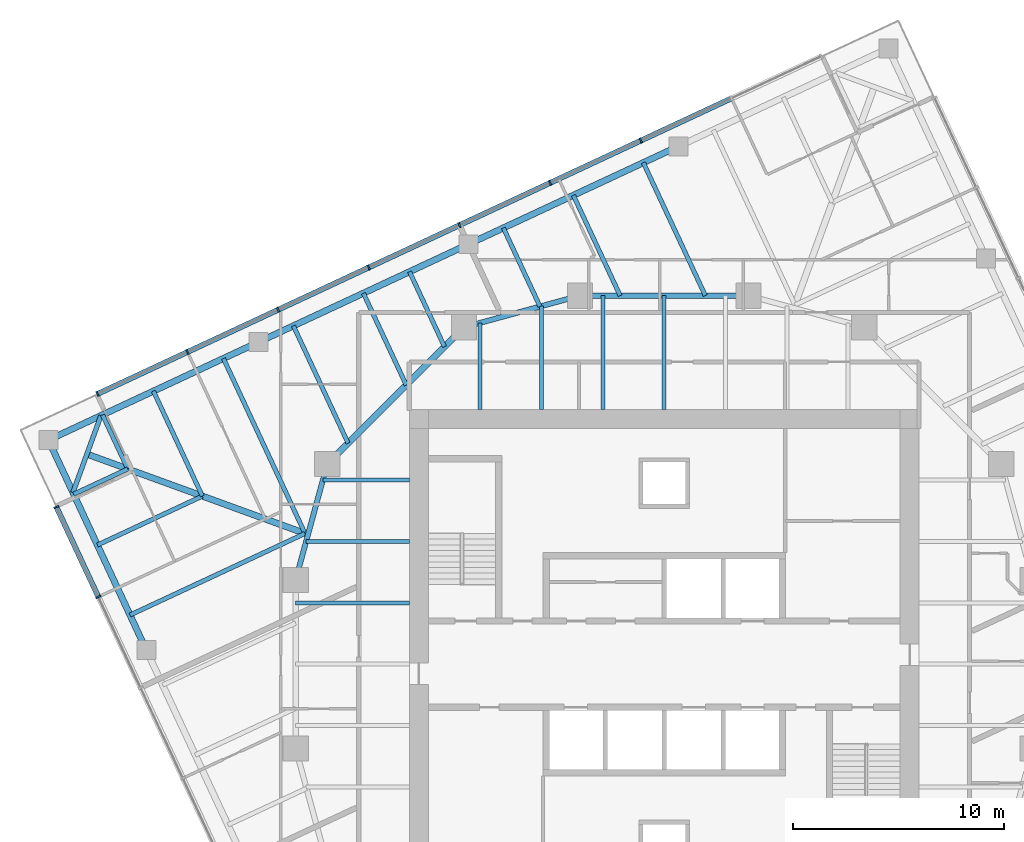
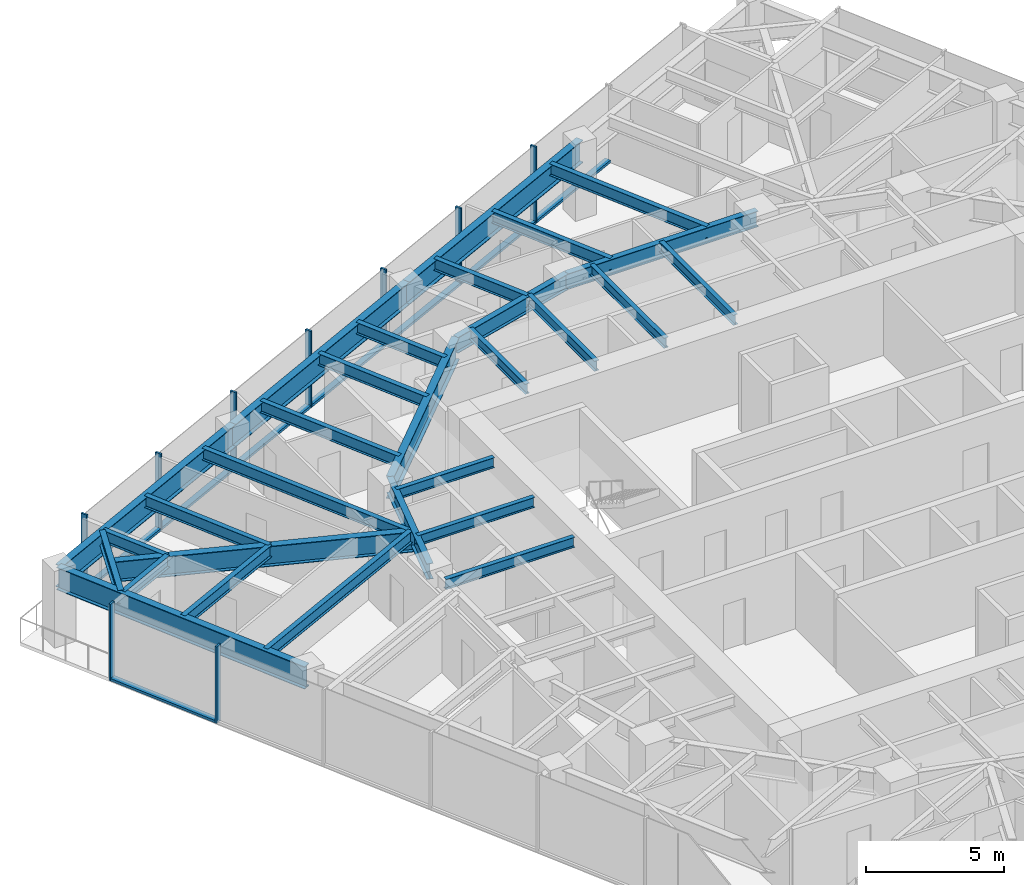
# One storey, part 4 of 13: 29 beams, 17 members, 2 elements without a shape of their own.
"""IFC4 building model written with IfcOpenShell, lengths in metres."""

from ifc_helpers import new_model, si_unit, direction, frame, origin, origin_2d, place, context, subcontext, project, spatial, rectangle, i_section, extrude, material, material_profile, profile_set, type_object, element, aggregate, save


model = new_model("IFC4")

# Units and contexts
model_context = context("Model", 3, precision=1e-05, world=origin(), true_north=direction((0.0, 1.0)))
body_context = subcontext(model_context, "Body", "Model", "MODEL_VIEW")
ifc_project = project(units=[si_unit("LENGTHUNIT", "METRE"), si_unit("AREAUNIT", "SQUARE_METRE"), si_unit("VOLUMEUNIT", "CUBIC_METRE"), si_unit("PLANEANGLEUNIT", "RADIAN"), si_unit("MASSUNIT", "GRAM", prefix="KILO")], contexts=[model_context])

# Site, building, storey
site_placement = place(None, origin())
site = spatial("IfcSite", under=ifc_project, at=site_placement, CompositionType="ELEMENT")
building_placement = place(site_placement, origin())
building = spatial("IfcBuilding", under=site, at=building_placement, Name="Torsade Residences", CompositionType="ELEMENT")
storey_placement = place(building_placement, frame((0.0, 0.0, 196.39990234375)))
storey = spatial("IfcBuildingStorey", under=building, at=storey_placement, Name="L54", CompositionType="ELEMENT", Elevation=196.39990234375)

# Beams
ifc_material_1 = material(Name="Steel grade 300", Category="steel")
ifc_material_profile_1 = material_profile(ifc_material_1, i_section(OverallWidth=0.300048828125, OverallDepth=0.89990234375, WebThickness=0.011962890625, FlangeThickness=0.02490234375, at=origin_2d()), Name="900WB175")
ifc_profile_set_1 = profile_set([ifc_material_profile_1], Name="Steel grade 300")
beam_type_1 = type_object("IfcBeamType", Name="CORNER GIRDER 900WB175", PredefinedType="BEAM", material=ifc_profile_set_1)
beam_1_placement = place(storey_placement, frame((12.5908203125, 39.97607421875, 2.800048828125), z_axis=(0.93969447651, -0.342015044723, 0.0), x_axis=(0.342015044723, 0.93969447651, 0.0)))
element("IfcBeam", 1, at=beam_1_placement, inside=storey, type_object=beam_type_1, Name="Corner girder 13 L55", PredefinedType="BEAM", context=body_context, shape_type="SweptSolid", body=[
    extrude(i_section(OverallWidth=0.300048828125, OverallDepth=0.89990234375, WebThickness=0.011962890625, FlangeThickness=0.02490234375, at=origin_2d()), origin(), (0.0, 0.0, 1.0), 11.170654296875),
])
ifc_material_2 = material(Name="Steel grade 300", Category="steel")
ifc_material_profile_2 = material_profile(ifc_material_2, i_section(OverallWidth=0.22802734375, OverallDepth=0.60205078125, WebThickness=0.010498046875, FlangeThickness=0.014892578125, FilletRadius=0.013916015625, at=origin_2d()), Name="610UB101")
ifc_profile_set_2 = profile_set([ifc_material_profile_2], Name="Steel grade 300")
beam_type_2 = type_object("IfcBeamType", Name="CORNER TRIMMER 610UB101", PredefinedType="BEAM", material=ifc_profile_set_2)
beam_2_placement = place(storey_placement, frame((11.92578125, 38.14892578125, 2.94921875), z_axis=(0.342005152204, 0.939698076972, 0.0), x_axis=(-0.939698076972, 0.342005152204, 0.0)))
element("IfcBeam", 2, at=beam_2_placement, inside=storey, type_object=beam_type_2, Name="Corner trimmer 13 L55", PredefinedType="BEAM", context=body_context, shape_type="SweptSolid", body=[
    extrude(i_section(OverallWidth=0.22802734375, OverallDepth=0.60205078125, WebThickness=0.010498046875, FlangeThickness=0.014892578125, FilletRadius=0.013916015625, at=origin_2d()), origin(), (0.0, 0.0, 1.0), 3.88916015625),
])
ifc_material_3 = material(Name="Steel grade 300", Category="steel")
ifc_material_profile_3 = material_profile(ifc_material_3, i_section(OverallWidth=0.300048828125, OverallDepth=1.0, WebThickness=0.01611328125, FlangeThickness=0.028076171875, at=origin_2d()), Name="1000WB215")
ifc_profile_set_3 = profile_set([ifc_material_profile_3], Name="Steel grade 300")
beam_type_3 = type_object("IfcBeamType", Name="EDGE BEAM 1000WB215", PredefinedType="SPANDREL", material=ifc_profile_set_3)
beam_3_placement = place(storey_placement, frame((40.671875, 54.587646484375, 2.75), z_axis=(-0.906305009094, -0.422624219007, 0.0), x_axis=(0.422624219007, -0.906305009094, 0.0)))
element("IfcBeam", 3, at=beam_3_placement, inside=storey, type_object=beam_type_3, Name="Edge beam 10 L55", PredefinedType="SPANDREL", context=body_context, shape_type="SweptSolid", body=[
    extrude(i_section(OverallWidth=0.300048828125, OverallDepth=1.0, WebThickness=0.01611328125, FlangeThickness=0.028076171875, at=origin_2d()), origin(), (0.0, 0.0, 1.0), 11.000244140625),
])
for number, where, z_axis, x_axis, name in (
    (4, (30.702392578125, 49.938720703125, 2.75), (-0.906313510001, -0.422605988587, 0.0), (0.422605988587, -0.906313510001, 0.0), "Edge beam 11 L55"),
    (5, (20.73291015625, 45.2900390625, 2.75), (-0.90630104482, -0.422632720171, 0.0), (0.422632720171, -0.90630104482, 0.0), "Edge beam 12 L55"),
):
    element("IfcBeam", number, at=place(storey_placement, frame(where, z_axis=z_axis, x_axis=x_axis)), inside=storey, type_object=beam_type_3, Name=name, PredefinedType="SPANDREL", context=body_context, shape_type="SweptSolid", body=[
        extrude(i_section(OverallWidth=0.300048828125, OverallDepth=1.0, WebThickness=0.01611328125, FlangeThickness=0.028076171875, at=origin_2d()), origin(), (0.0, 0.0, 1.0), 11.0),
    ])
beam_4_placement = place(storey_placement, frame((10.763671875, 40.64111328125, 2.75), z_axis=(0.422614489543, -0.906309546032, 0.0), x_axis=(0.906309546032, 0.422614489543, 0.0)))
element("IfcBeam", 6, at=beam_4_placement, inside=storey, type_object=beam_type_3, Name="Edge beam 13 L55", PredefinedType="SPANDREL", context=body_context, shape_type="SweptSolid", body=[
    extrude(i_section(OverallWidth=0.300048828125, OverallDepth=1.0, WebThickness=0.01611328125, FlangeThickness=0.028076171875, at=origin_2d()), origin(), (0.0, 0.0, 1.0), 10.999755859375),
])
ifc_material_4 = material(Name="Steel grade 300", Category="steel")
ifc_material_profile_4 = material_profile(ifc_material_4, i_section(OverallWidth=0.18994140625, OverallDepth=0.4541015625, WebThickness=0.008544921875, FlangeThickness=0.0126953125, FilletRadius=0.011474609375, at=origin_2d()), Name="460UB67.1")
ifc_profile_set_4 = profile_set([ifc_material_profile_4], Name="Steel grade 300")
beam_type_4 = type_object("IfcBeamType", Name="INNER FLOOR BEAM 460UB67.1", PredefinedType="JOIST", material=ifc_profile_set_4)
beam_5_placement = place(storey_placement, frame((31.262451171875, 42.10009765625, 3.023193359375), z_axis=(0.0, 1.0, 0.0), x_axis=(-1.0, 0.0, 0.0)))
element("IfcBeam", 7, at=beam_5_placement, inside=storey, type_object=beam_type_4, Name="Inner floor beam IN01 L55", PredefinedType="JOIST", context=body_context, shape_type="SweptSolid", body=[
    extrude(i_section(OverallWidth=0.18994140625, OverallDepth=0.4541015625, WebThickness=0.008544921875, FlangeThickness=0.0126953125, FilletRadius=0.011474609375, at=origin_2d()), origin(), (0.0, 0.0, 1.0), 4.10791015625),
])
beam_6_placement = place(storey_placement, frame((34.175048828125, 42.10009765625, 3.023193359375), z_axis=(0.0, 1.0, 0.0), x_axis=(-1.0, 0.0, 0.0)))
element("IfcBeam", 8, at=beam_6_placement, inside=storey, type_object=beam_type_4, Name="Inner floor beam IN02 L55", PredefinedType="JOIST", context=body_context, shape_type="SweptSolid", body=[
    extrude(i_section(OverallWidth=0.18994140625, OverallDepth=0.4541015625, WebThickness=0.008544921875, FlangeThickness=0.0126953125, FilletRadius=0.011474609375, at=origin_2d()), origin(), (0.0, 0.0, 1.0), 4.902099609375),
])
for number, where, z_axis, x_axis, name in (
    (9, (37.08740234375, 42.10009765625, 3.023193359375), (0.0, 1.0, 0.0), (-1.0, 0.0, 0.0), "Inner floor beam IN03 L55"),
    (10, (40.0, 42.10009765625, 3.023193359375), (0.0, 1.0, 0.0), (-1.0, 0.0, 0.0), "Inner floor beam IN04 L55"),
):
    element("IfcBeam", number, at=place(storey_placement, frame(where, z_axis=z_axis, x_axis=x_axis)), inside=storey, type_object=beam_type_4, Name=name, PredefinedType="JOIST", context=body_context, shape_type="SweptSolid", body=[
        extrude(i_section(OverallWidth=0.18994140625, OverallDepth=0.4541015625, WebThickness=0.008544921875, FlangeThickness=0.0126953125, FilletRadius=0.011474609375, at=origin_2d()), origin(), (0.0, 0.0, 1.0), 5.39990234375),
    ])
beam_7_placement = place(storey_placement, frame((27.89990234375, 38.737548828125, 3.023193359375), z_axis=(-1.0, 0.0, 0.0), x_axis=(0.0, -1.0, 0.0)))
element("IfcBeam", 11, at=beam_7_placement, inside=storey, type_object=beam_type_4, Name="Inner floor beam IW01 L55", PredefinedType="JOIST", context=body_context, shape_type="SweptSolid", body=[
    extrude(i_section(OverallWidth=0.18994140625, OverallDepth=0.4541015625, WebThickness=0.008544921875, FlangeThickness=0.0126953125, FilletRadius=0.011474609375, at=origin_2d()), origin(), (0.0, 0.0, 1.0), 4.10791015625),
])
beam_8_placement = place(storey_placement, frame((27.89990234375, 35.824951171875, 3.023193359375), z_axis=(-1.0, 0.0, 0.0), x_axis=(0.0, -1.0, 0.0)))
element("IfcBeam", 12, at=beam_8_placement, inside=storey, type_object=beam_type_4, Name="Inner floor beam IW02 L55", PredefinedType="JOIST", context=body_context, shape_type="SweptSolid", body=[
    extrude(i_section(OverallWidth=0.18994140625, OverallDepth=0.4541015625, WebThickness=0.008544921875, FlangeThickness=0.0126953125, FilletRadius=0.011474609375, at=origin_2d()), origin(), (0.0, 0.0, 1.0), 4.902099609375),
])
beam_9_placement = place(storey_placement, frame((27.89990234375, 32.91259765625, 3.023193359375), z_axis=(-1.0, 0.0, 0.0), x_axis=(0.0, -1.0, 0.0)))
element("IfcBeam", 13, at=beam_9_placement, inside=storey, type_object=beam_type_4, Name="Inner floor beam IW03 L55", PredefinedType="JOIST", context=body_context, shape_type="SweptSolid", body=[
    extrude(i_section(OverallWidth=0.18994140625, OverallDepth=0.4541015625, WebThickness=0.008544921875, FlangeThickness=0.0126953125, FilletRadius=0.011474609375, at=origin_2d()), origin(), (0.0, 0.0, 1.0), 5.39990234375),
])

# Curtain wall, members
ifc_material_5 = material(Name="Aluminium and glass", Category="aluminium")
curtain_wall_type = type_object("IfcCurtainWallType", Name="FRITTED GLASS CURTAIN WALL MID ZONE", PredefinedType="NOTDEFINED", material=ifc_material_5)
curtain_wall_1_placement = place(storey_placement, origin())
curtain_wall_1 = element("IfcCurtainWall", 14, at=curtain_wall_1_placement, inside=storey, type_object=curtain_wall_type, Name="Curtain wall L54 face 7", PredefinedType="NOTDEFINED")
ifc_material_6 = material(Name="Aluminium mullion", Category="aluminium")
ifc_material_profile_5 = material_profile(ifc_material_6, rectangle(XDim=0.25, YDim=0.080078125, at=origin_2d()), Name="MID ZONE CURTAIN WALL MULLION 250x80")
ifc_profile_set_5 = profile_set([ifc_material_profile_5], Name="Aluminium mullion")
member_type_1 = type_object("IfcMemberType", Name="MID ZONE CURTAIN WALL MULLION 250x80", PredefinedType="MULLION", material=ifc_profile_set_5)
member_1_placement = place(storey_placement, frame((38.8896484375, 54.85986328125, 0.0), z_axis=(0.0, 0.0, 1.0), x_axis=(0.422618261978, -0.906307786926, 0.0)))
member_1 = element("IfcMember", 15, at=member_1_placement, type_object=member_type_1, Name="Mullion 3", PredefinedType="MULLION", context=body_context, shape_type="SweptSolid", body=[
    extrude(rectangle(XDim=0.25, YDim=0.080078125, at=origin_2d()), origin(), (0.0, 0.0, 1.0), 3.400146484375),
])
member_2_placement = place(storey_placement, frame((34.584716796875, 52.8525390625, 0.0), z_axis=(0.0, 0.0, 1.0), x_axis=(0.422618261978, -0.906307786926, 0.0)))
member_2 = element("IfcMember", 16, at=member_2_placement, type_object=member_type_1, Name="Mullion 4", PredefinedType="MULLION", context=body_context, shape_type="SweptSolid", body=[
    extrude(rectangle(XDim=0.25, YDim=0.080078125, at=origin_2d()), origin(), (0.0, 0.0, 1.0), 3.400146484375),
])
member_3_placement = place(storey_placement, frame((30.27978515625, 50.844970703125, 0.0), z_axis=(0.0, 0.0, 1.0), x_axis=(0.422618261978, -0.906307786926, 0.0)))
member_3 = element("IfcMember", 17, at=member_3_placement, type_object=member_type_1, Name="Mullion 5", PredefinedType="MULLION", context=body_context, shape_type="SweptSolid", body=[
    extrude(rectangle(XDim=0.25, YDim=0.080078125, at=origin_2d()), origin(), (0.0, 0.0, 1.0), 3.400146484375),
])
member_4_placement = place(storey_placement, frame((25.974853515625, 48.837646484375, 0.0), z_axis=(0.0, 0.0, 1.0), x_axis=(0.422618261978, -0.906307786926, 0.0)))
member_4 = element("IfcMember", 18, at=member_4_placement, type_object=member_type_1, Name="Mullion 6", PredefinedType="MULLION", context=body_context, shape_type="SweptSolid", body=[
    extrude(rectangle(XDim=0.25, YDim=0.080078125, at=origin_2d()), origin(), (0.0, 0.0, 1.0), 3.400146484375),
])
member_5_placement = place(storey_placement, frame((21.669921875, 46.830322265625, 0.0), z_axis=(0.0, 0.0, 1.0), x_axis=(0.422618261978, -0.906307786926, 0.0)))
member_5 = element("IfcMember", 19, at=member_5_placement, type_object=member_type_1, Name="Mullion 7", PredefinedType="MULLION", context=body_context, shape_type="SweptSolid", body=[
    extrude(rectangle(XDim=0.25, YDim=0.080078125, at=origin_2d()), origin(), (0.0, 0.0, 1.0), 3.400146484375),
])
member_6_placement = place(storey_placement, frame((17.364990234375, 44.82275390625, 0.0), z_axis=(0.0, 0.0, 1.0), x_axis=(0.422618261978, -0.906307786926, 0.0)))
member_6 = element("IfcMember", 20, at=member_6_placement, type_object=member_type_1, Name="Mullion 8", PredefinedType="MULLION", context=body_context, shape_type="SweptSolid", body=[
    extrude(rectangle(XDim=0.25, YDim=0.080078125, at=origin_2d()), origin(), (0.0, 0.0, 1.0), 3.400146484375),
])
member_7_placement = place(storey_placement, frame((13.09619140625, 42.832275390625, 0.0), z_axis=(0.0, 0.0, 1.0), x_axis=(0.422618261978, -0.906307786926, 0.0)))
member_7 = element("IfcMember", 21, at=member_7_placement, type_object=member_type_1, Name="Mullion 9", PredefinedType="MULLION", context=body_context, shape_type="SweptSolid", body=[
    extrude(rectangle(XDim=0.25, YDim=0.080078125, at=origin_2d()), origin(), (0.0, 0.0, 1.0), 3.400146484375),
])

curtain_wall_2_placement = place(storey_placement, origin())
curtain_wall_2 = element("IfcCurtainWall", 22, at=curtain_wall_2_placement, inside=storey, type_object=curtain_wall_type, Name="Curtain wall L54 face 10", PredefinedType="NOTDEFINED")
member_8_placement = place(storey_placement, frame((11.14208984375, 37.46337890625, 0.0), z_axis=(0.0, 0.0, 1.0), x_axis=(0.906307786926, 0.422618261978, 0.0)))
member_8 = element("IfcMember", 23, at=member_8_placement, type_object=member_type_1, Name="Mullion 1", PredefinedType="MULLION", context=body_context, shape_type="SweptSolid", body=[
    extrude(rectangle(XDim=0.25, YDim=0.080078125, at=origin_2d()), origin(), (0.0, 0.0, 1.0), 3.400146484375),
])
member_9_placement = place(storey_placement, frame((13.132568359375, 33.194580078125, 0.0), z_axis=(0.0, 0.0, 1.0), x_axis=(0.906307786926, 0.422618261978, 0.0)))
member_9 = element("IfcMember", 24, at=member_9_placement, type_object=member_type_1, Name="Mullion 2", PredefinedType="MULLION", context=body_context, shape_type="SweptSolid", body=[
    extrude(rectangle(XDim=0.25, YDim=0.080078125, at=origin_2d()), origin(), (0.0, 0.0, 1.0), 3.400146484375),
])

# Member
ifc_material_7 = material(Name="Aluminium transom", Category="aluminium")
ifc_material_profile_6 = material_profile(ifc_material_7, rectangle(XDim=0.25, YDim=0.110107421875, at=origin_2d()), Name="MID ZONE CURTAIN WALL TRANSOM 250x110")
ifc_profile_set_6 = profile_set([ifc_material_profile_6], Name="Aluminium transom")
member_type_2 = type_object("IfcMemberType", Name="MID ZONE CURTAIN WALL TRANSOM 250x110", PredefinedType="USERDEFINED", material=ifc_profile_set_6)
member_10_placement = place(storey_placement, frame((43.158447265625, 56.8505859375, 0.05517578125), z_axis=(-0.906305976097, -0.422622145291, 0.0), x_axis=(0.422622145291, -0.906305976097, 0.0)))
member_10 = element("IfcMember", 25, at=member_10_placement, type_object=member_type_2, Name="Transom 2.1", ObjectType="TRANSOM", PredefinedType="USERDEFINED", context=body_context, shape_type="SweptSolid", body=[
    extrude(rectangle(XDim=0.25, YDim=0.110107421875, at=origin_2d()), origin(), (0.0, 0.0, 1.0), 4.669921875),
])

member_11_placement = place(storey_placement, frame((38.853515625, 54.843017578125, 0.05517578125), z_axis=(-0.906305976097, -0.422622145291, 0.0), x_axis=(0.422622145291, -0.906305976097, 0.0)))
member_11 = element("IfcMember", 26, at=member_11_placement, type_object=member_type_2, Name="Transom 3.1", ObjectType="TRANSOM", PredefinedType="USERDEFINED", context=body_context, shape_type="SweptSolid", body=[
    extrude(rectangle(XDim=0.25, YDim=0.110107421875, at=origin_2d()), origin(), (0.0, 0.0, 1.0), 4.669921875),
])

member_12_placement = place(storey_placement, frame((34.548583984375, 52.835693359375, 0.05517578125), z_axis=(-0.90631531293, -0.422602122035, 0.0), x_axis=(0.422602122035, -0.90631531293, 0.0)))
member_12 = element("IfcMember", 27, at=member_12_placement, type_object=member_type_2, Name="Transom 4.1", ObjectType="TRANSOM", PredefinedType="USERDEFINED", context=body_context, shape_type="SweptSolid", body=[
    extrude(rectangle(XDim=0.25, YDim=0.110107421875, at=origin_2d()), origin(), (0.0, 0.0, 1.0), 4.670166015625),
])

member_13_placement = place(storey_placement, frame((30.243408203125, 50.828125, 0.05517578125), z_axis=(-0.906305976097, -0.422622145291, 0.0), x_axis=(0.422622145291, -0.906305976097, 0.0)))
member_13 = element("IfcMember", 28, at=member_13_placement, type_object=member_type_2, Name="Transom 5.1", ObjectType="TRANSOM", PredefinedType="USERDEFINED", context=body_context, shape_type="SweptSolid", body=[
    extrude(rectangle(XDim=0.25, YDim=0.110107421875, at=origin_2d()), origin(), (0.0, 0.0, 1.0), 4.669921875),
])

member_14_placement = place(storey_placement, frame((25.9384765625, 48.82080078125, 0.05517578125), z_axis=(-0.906305976097, -0.422622145291, 0.0), x_axis=(0.422622145291, -0.906305976097, 0.0)))
member_14 = element("IfcMember", 29, at=member_14_placement, type_object=member_type_2, Name="Transom 6.1", ObjectType="TRANSOM", PredefinedType="USERDEFINED", context=body_context, shape_type="SweptSolid", body=[
    extrude(rectangle(XDim=0.25, YDim=0.110107421875, at=origin_2d()), origin(), (0.0, 0.0, 1.0), 4.669921875),
])

member_15_placement = place(storey_placement, frame((21.633544921875, 46.813232421875, 0.05517578125), z_axis=(-0.906305976097, -0.422622145291, 0.0), x_axis=(0.422622145291, -0.906305976097, 0.0)))
member_15 = element("IfcMember", 30, at=member_15_placement, type_object=member_type_2, Name="Transom 7.1", ObjectType="TRANSOM", PredefinedType="USERDEFINED", context=body_context, shape_type="SweptSolid", body=[
    extrude(rectangle(XDim=0.25, YDim=0.110107421875, at=origin_2d()), origin(), (0.0, 0.0, 1.0), 4.669921875),
])

member_16_placement = place(storey_placement, frame((17.32861328125, 44.805908203125, 0.05517578125), z_axis=(-0.906305687176, -0.422622764878, 0.0), x_axis=(0.422622764878, -0.906305687176, 0.0)))
member_16 = element("IfcMember", 31, at=member_16_placement, type_object=member_type_2, Name="Transom 8.1", ObjectType="TRANSOM", PredefinedType="USERDEFINED", context=body_context, shape_type="SweptSolid", body=[
    extrude(rectangle(XDim=0.25, YDim=0.110107421875, at=origin_2d()), origin(), (0.0, 0.0, 1.0), 4.630126953125),
])

aggregate(curtain_wall_1, [member_1, member_2, member_3, member_4, member_5, member_6, member_7, member_10, member_11, member_12, member_13, member_14, member_15, member_16])

member_17_placement = place(storey_placement, frame((11.158935546875, 37.427001953125, 0.05517578125), z_axis=(0.422642962277, -0.906296268578, 0.0), x_axis=(0.906296268578, 0.422642962277, 0.0)))
member_17 = element("IfcMember", 32, at=member_17_placement, type_object=member_type_2, Name="Transom 1.1", ObjectType="TRANSOM", PredefinedType="USERDEFINED", context=body_context, shape_type="SweptSolid", body=[
    extrude(rectangle(XDim=0.25, YDim=0.110107421875, at=origin_2d()), origin(), (0.0, 0.0, 1.0), 4.6298828125),
])

aggregate(curtain_wall_2, [member_8, member_9, member_17])

# Beams
ifc_material_8 = material(Name="Steel grade 300", Category="steel")
ifc_material_profile_7 = material_profile(ifc_material_8, i_section(OverallWidth=0.300048828125, OverallDepth=1.0, WebThickness=0.01611328125, FlangeThickness=0.028076171875, at=origin_2d()), Name="1000WB215")
ifc_profile_set_7 = profile_set([ifc_material_profile_7], Name="Steel grade 300")
beam_type_5 = type_object("IfcBeamType", Name="RING CORNER GIRDER 1000WB215", PredefinedType="BEAM", material=ifc_profile_set_7)
beam_10_placement = place(storey_placement, frame((30.5, 46.0, 2.75), z_axis=(-0.707106781187, -0.707106781187, 0.0), x_axis=(0.707106781187, -0.707106781187, 0.0)))
element("IfcBeam", 33, at=beam_10_placement, inside=storey, type_object=beam_type_5, Name="Ring girder IR07 L55", PredefinedType="BEAM", context=body_context, shape_type="SweptSolid", body=[
    extrude(i_section(OverallWidth=0.300048828125, OverallDepth=1.0, WebThickness=0.01611328125, FlangeThickness=0.028076171875, at=origin_2d()), origin(), (0.0, 0.0, 1.0), 9.1923828125),
])
ifc_material_9 = material(Name="Steel grade 300", Category="steel")
ifc_material_profile_8 = material_profile(ifc_material_9, i_section(OverallWidth=0.25, OverallDepth=0.699951171875, WebThickness=0.010009765625, FlangeThickness=0.02001953125, at=origin_2d()), Name="700WB130")
ifc_profile_set_8 = profile_set([ifc_material_profile_8], Name="Steel grade 300")
beam_type_6 = type_object("IfcBeamType", Name="RING GIRDER 700WB130", PredefinedType="BEAM", material=ifc_profile_set_8)
beam_11_placement = place(storey_placement, frame((44.0, 47.5, 2.900146484375), z_axis=(-1.0, 0.0, 0.0), x_axis=(0.0, -1.0, 0.0)))
element("IfcBeam", 34, at=beam_11_placement, inside=storey, type_object=beam_type_6, Name="Ring girder IR05 L55", PredefinedType="BEAM", context=body_context, shape_type="SweptSolid", body=[
    extrude(i_section(OverallWidth=0.25, OverallDepth=0.699951171875, WebThickness=0.010009765625, FlangeThickness=0.02001953125, at=origin_2d()), origin(), (0.0, 0.0, 1.0), 8.0),
])
for number, where, z_axis, x_axis, name in (
    (35, (36.0, 47.5, 2.900146484375), (-0.964763821238, -0.263117405792, 0.0), (0.263117405792, -0.964763821238, 0.0), "Ring girder IR06 L55"),
    (36, (24.0, 39.5, 2.900146484375), (-0.263117405792, -0.964763821238, 0.0), (0.964763821238, -0.263117405792, 0.0), "Ring girder IR08 L55"),
):
    element("IfcBeam", number, at=place(storey_placement, frame(where, z_axis=z_axis, x_axis=x_axis)), inside=storey, type_object=beam_type_6, Name=name, PredefinedType="BEAM", context=body_context, shape_type="SweptSolid", body=[
        extrude(i_section(OverallWidth=0.25, OverallDepth=0.699951171875, WebThickness=0.010009765625, FlangeThickness=0.02001953125, at=origin_2d()), origin(), (0.0, 0.0, 1.0), 5.700927734375),
    ])
ifc_material_10 = material(Name="Steel grade 300", Category="steel")
ifc_material_profile_9 = material_profile(ifc_material_10, i_section(OverallWidth=0.208984375, OverallDepth=0.528076171875, WebThickness=0.009521484375, FlangeThickness=0.01318359375, FilletRadius=0.013916015625, at=origin_2d()), Name="530UB82.0")
ifc_profile_set_9 = profile_set([ifc_material_profile_9], Name="Steel grade 300")
beam_type_7 = type_object("IfcBeamType", Name="SECONDARY BEAM 530UB82.0", PredefinedType="JOIST", material=ifc_profile_set_9)
beam_12_placement = place(storey_placement, frame((39.01025390625, 53.812744140625, 2.986083984375), z_axis=(0.422609131726, -0.906312044376, 0.0), x_axis=(0.906312044376, 0.422609131726, 0.0)))
element("IfcBeam", 37, at=beam_12_placement, inside=storey, type_object=beam_type_7, Name="Floor beam FN04 L55", PredefinedType="JOIST", context=body_context, shape_type="SweptSolid", body=[
    extrude(i_section(OverallWidth=0.208984375, OverallDepth=0.528076171875, WebThickness=0.009521484375, FlangeThickness=0.01318359375, FilletRadius=0.013916015625, at=origin_2d()), origin(), (0.0, 0.0, 1.0), 6.96533203125),
])
beam_13_placement = place(storey_placement, frame((35.68701171875, 52.26318359375, 2.986083984375), z_axis=(0.422631142882, -0.90630178035, 0.0), x_axis=(0.90630178035, 0.422631142882, 0.0)))
element("IfcBeam", 38, at=beam_13_placement, inside=storey, type_object=beam_type_7, Name="Floor beam FN05 L55", PredefinedType="JOIST", context=body_context, shape_type="SweptSolid", body=[
    extrude(i_section(OverallWidth=0.208984375, OverallDepth=0.528076171875, WebThickness=0.009521484375, FlangeThickness=0.01318359375, FilletRadius=0.013916015625, at=origin_2d()), origin(), (0.0, 0.0, 1.0), 5.255615234375),
])
beam_14_placement = place(storey_placement, frame((32.364013671875, 50.713623046875, 2.986083984375), z_axis=(0.422635442612, -0.906299775267, 0.0), x_axis=(0.906299775267, 0.422635442612, 0.0)))
element("IfcBeam", 39, at=beam_14_placement, inside=storey, type_object=beam_type_7, Name="Floor beam FN06 L55", PredefinedType="JOIST", context=body_context, shape_type="SweptSolid", body=[
    extrude(i_section(OverallWidth=0.208984375, OverallDepth=0.528076171875, WebThickness=0.009521484375, FlangeThickness=0.01318359375, FilletRadius=0.013916015625, at=origin_2d()), origin(), (0.0, 0.0, 1.0), 4.116455078125),
])
beam_15_placement = place(storey_placement, frame((27.907958984375, 48.6357421875, 2.986083984375), z_axis=(0.422644222818, -0.906295680735, 0.0), x_axis=(0.906295680735, 0.422644222818, 0.0)))
element("IfcBeam", 40, at=beam_15_placement, inside=storey, type_object=beam_type_7, Name="Floor beam FN07 L55", PredefinedType="JOIST", context=body_context, shape_type="SweptSolid", body=[
    extrude(i_section(OverallWidth=0.208984375, OverallDepth=0.528076171875, WebThickness=0.009521484375, FlangeThickness=0.01318359375, FilletRadius=0.013916015625, at=origin_2d()), origin(), (0.0, 0.0, 1.0), 3.933837890625),
])
beam_16_placement = place(storey_placement, frame((25.7177734375, 47.6142578125, 2.986083984375), z_axis=(0.422618876857, -0.906307500203, 0.0), x_axis=(0.906307500203, 0.422618876857, 0.0)))
element("IfcBeam", 41, at=beam_16_placement, inside=storey, type_object=beam_type_7, Name="Floor beam FN08 L55", PredefinedType="JOIST", context=body_context, shape_type="SweptSolid", body=[
    extrude(i_section(OverallWidth=0.208984375, OverallDepth=0.528076171875, WebThickness=0.009521484375, FlangeThickness=0.01318359375, FilletRadius=0.013916015625, at=origin_2d()), origin(), (0.0, 0.0, 1.0), 4.813232421875),
])
beam_17_placement = place(storey_placement, frame((22.39453125, 46.064697265625, 2.986083984375), z_axis=(0.42264848683, -0.906293692233, 0.0), x_axis=(0.906293692233, 0.42264848683, 0.0)))
element("IfcBeam", 42, at=beam_17_placement, inside=storey, type_object=beam_type_7, Name="Floor beam FN09 L55", PredefinedType="JOIST", context=body_context, shape_type="SweptSolid", body=[
    extrude(i_section(OverallWidth=0.208984375, OverallDepth=0.528076171875, WebThickness=0.009521484375, FlangeThickness=0.01318359375, FilletRadius=0.013916015625, at=origin_2d()), origin(), (0.0, 0.0, 1.0), 6.14794921875),
])
beam_18_placement = place(storey_placement, frame((19.071533203125, 44.51513671875, 2.986083984375), z_axis=(0.422618627092, -0.90630761667, 0.0), x_axis=(0.90630761667, 0.422618627092, 0.0)))
element("IfcBeam", 43, at=beam_18_placement, inside=storey, type_object=beam_type_7, Name="Floor beam FN10 L55", PredefinedType="JOIST", context=body_context, shape_type="SweptSolid", body=[
    extrude(i_section(OverallWidth=0.208984375, OverallDepth=0.528076171875, WebThickness=0.009521484375, FlangeThickness=0.01318359375, FilletRadius=0.013916015625, at=origin_2d()), origin(), (0.0, 0.0, 1.0), 9.166748046875),
])
beam_19_placement = place(storey_placement, frame((15.748291015625, 42.965576171875, 2.986083984375), z_axis=(0.422632720171, -0.90630104482, 0.0), x_axis=(0.90630104482, 0.422632720171, 0.0)))
element("IfcBeam", 44, at=beam_19_placement, inside=storey, type_object=beam_type_7, Name="Floor beam FN11 L55", PredefinedType="JOIST", context=body_context, shape_type="SweptSolid", body=[
    extrude(i_section(OverallWidth=0.208984375, OverallDepth=0.528076171875, WebThickness=0.009521484375, FlangeThickness=0.01318359375, FilletRadius=0.013916015625, at=origin_2d()), origin(), (0.0, 0.0, 1.0), 5.5),
])
for number, where, z_axis, x_axis, name in (
    (45, (13.33154296875, 41.838623046875, 2.986083984375), (0.42257409885, -0.906328379221, 0.0), (0.906328379221, 0.42257409885, 0.0), "Floor beam FN12 L55"),
    (46, (11.9609375, 38.0732421875, 2.986083984375), (0.906295375613, 0.422644877104, 0.0), (-0.422644877104, 0.906295375613, 0.0), "Floor beam FW01 L55"),
):
    element("IfcBeam", number, at=place(storey_placement, frame(where, z_axis=z_axis, x_axis=x_axis)), inside=storey, type_object=beam_type_7, Name=name, PredefinedType="JOIST", context=body_context, shape_type="SweptSolid", body=[
        extrude(i_section(OverallWidth=0.208984375, OverallDepth=0.528076171875, WebThickness=0.009521484375, FlangeThickness=0.01318359375, FilletRadius=0.013916015625, at=origin_2d()), origin(), (0.0, 0.0, 1.0), 2.833251953125),
    ])
beam_20_placement = place(storey_placement, frame((13.088134765625, 35.656494140625, 2.986083984375), z_axis=(0.90630104482, 0.422632720171, 0.0), x_axis=(-0.422632720171, 0.90630104482, 0.0)))
element("IfcBeam", 47, at=beam_20_placement, inside=storey, type_object=beam_type_7, Name="Floor beam FW02 L55", PredefinedType="JOIST", context=body_context, shape_type="SweptSolid", body=[
    extrude(i_section(OverallWidth=0.208984375, OverallDepth=0.528076171875, WebThickness=0.009521484375, FlangeThickness=0.01318359375, FilletRadius=0.013916015625, at=origin_2d()), origin(), (0.0, 0.0, 1.0), 5.5),
])
beam_21_placement = place(storey_placement, frame((14.6376953125, 32.333251953125, 2.986083984375), z_axis=(0.90630761667, 0.422618627092, 0.0), x_axis=(-0.422618627092, 0.90630761667, 0.0)))
element("IfcBeam", 48, at=beam_21_placement, inside=storey, type_object=beam_type_7, Name="Floor beam FW03 L55", PredefinedType="JOIST", context=body_context, shape_type="SweptSolid", body=[
    extrude(i_section(OverallWidth=0.208984375, OverallDepth=0.528076171875, WebThickness=0.009521484375, FlangeThickness=0.01318359375, FilletRadius=0.013916015625, at=origin_2d()), origin(), (0.0, 0.0, 1.0), 9.166748046875),
])

save(model, "model.ifc")
